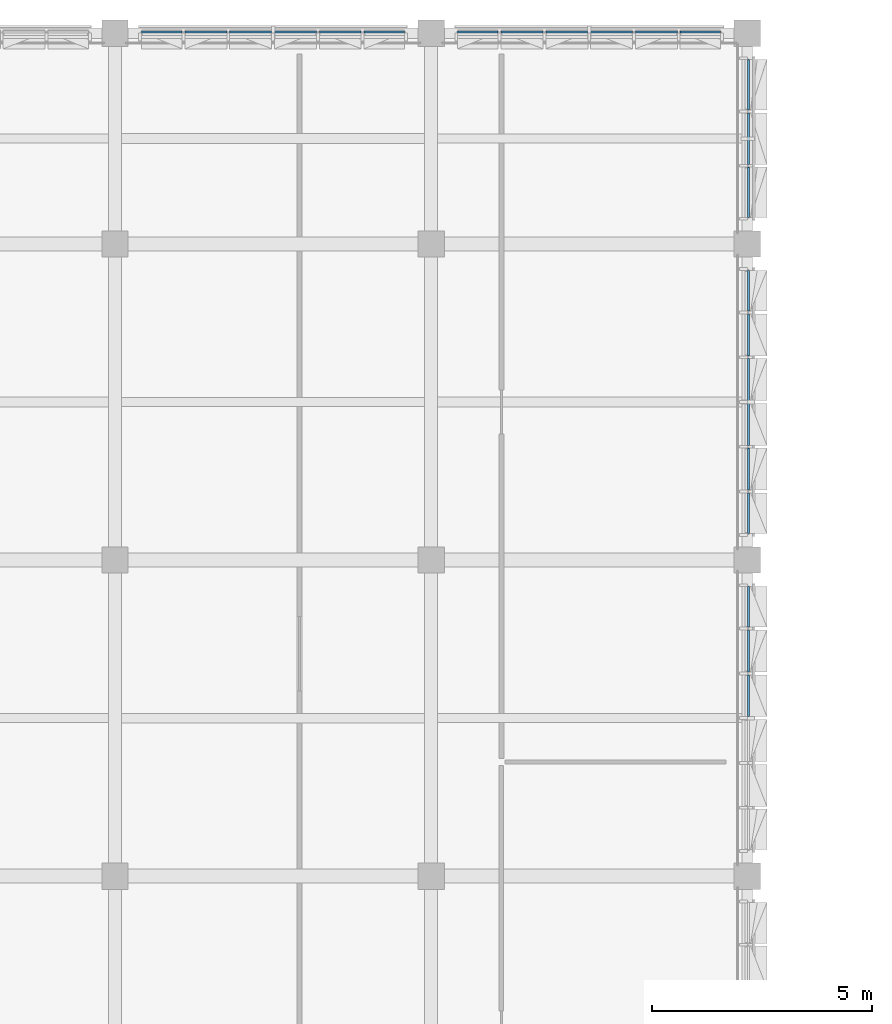
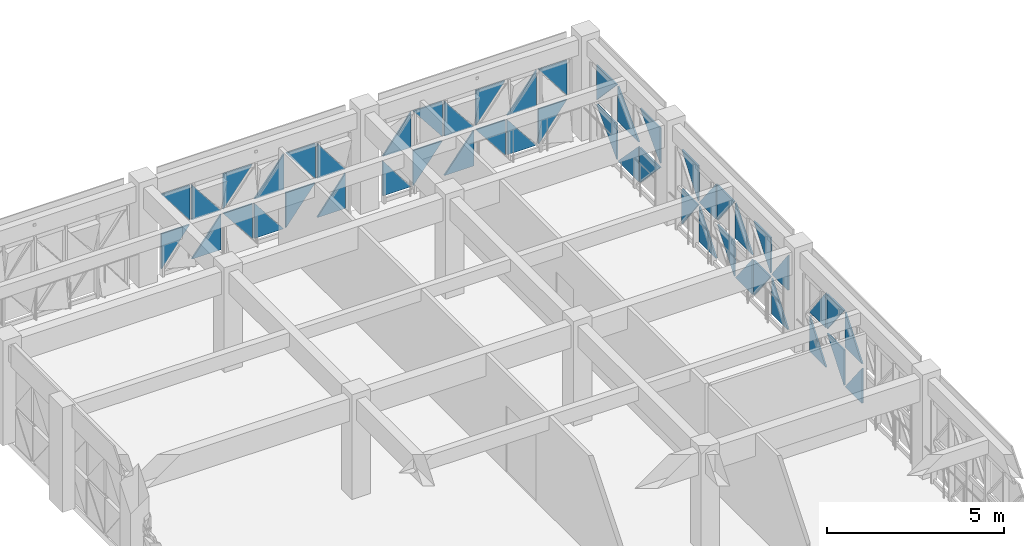
# One storey, part 45 of 99: 48 plates, 5 elements without a shape of their own.
"""IFC4 building model written with IfcOpenShell, lengths in metres."""

from ifc_helpers import new_model, si_unit, direction, frame, origin, place, context, subcontext, project, spatial, polyline, outline, extrude, material, layer, layer_set, type_object, element, aggregate, save


model = new_model("IFC4")

# Units and contexts
model_context = context("Model", 3, precision=1e-05, world=origin(), true_north=direction((0.0, 1.0)))
body_context = subcontext(model_context, "Body", "Model", "MODEL_VIEW")
ifc_project = project(units=[si_unit("LENGTHUNIT", "METRE"), si_unit("AREAUNIT", "SQUARE_METRE"), si_unit("VOLUMEUNIT", "CUBIC_METRE"), si_unit("PLANEANGLEUNIT", "RADIAN"), si_unit("MASSUNIT", "GRAM", prefix="KILO")], contexts=[model_context])

# Site, building, storey
site_placement = place(None, origin())
site = spatial("IfcSite", under=ifc_project, at=site_placement, CompositionType="ELEMENT")
building_placement = place(site_placement, origin())
building = spatial("IfcBuilding", under=site, at=building_placement, Name="Alvorim Cloister Faculty of Sciences", CompositionType="ELEMENT")
storey_placement = place(building_placement, frame((0.0, 0.0, 12.14990234375)))
storey = spatial("IfcBuildingStorey", under=building, at=storey_placement, Name="L03", CompositionType="ELEMENT", Elevation=12.14990234375)

# Curtain wall, plates
ifc_material_1 = material(Name="Aluminium and Low-E Glass Curtain Wall", Category="aluminium")
curtain_wall_type_1 = type_object("IfcCurtainWallType", Name="CW-TRI-6120x2850", PredefinedType="USERDEFINED", material=ifc_material_1)
curtain_wall_1_placement = place(storey_placement, origin())
curtain_wall_1 = element("IfcCurtainWall", 1, at=curtain_wall_1_placement, inside=storey, type_object=curtain_wall_type_1, Name="L03 Diagonal Cassette Curtain Wall CW-0115", ObjectType="UNITISED CURTAIN WALL", PredefinedType="USERDEFINED")
ifc_material_2 = material(Name="Double Low-E Laminated Glass", Category="glass")
ifc_layer = layer(ifc_material_2, 0.0400390625)
ifc_layer_set = layer_set([ifc_layer], Name="Double Low-E Laminated Glass")
plate_type = type_object("IfcPlateType", Name="PN-GLZ-40", PredefinedType="CURTAIN_PANEL", material=ifc_layer_set)
plate_1_placement = place(storey_placement, frame((7.804931640625, 111.625, 0.14013671875), z_axis=(0.0, 0.0, 1.0), x_axis=(1.0, 0.0, 0.0)))
plate_1 = element("IfcPlate", 2, at=plate_1_placement, type_object=plate_type, Name="Diagonal Glazed Triangle TRI-TL", PredefinedType="CURTAIN_PANEL", context=body_context, shape_type="SweptSolid", body=[
    extrude(outline(polyline([(0.920654296875, 1.21484375), (0.0, 1.21484375), (0.0, 0.001953125), (0.920654296875, 1.21484375)])), frame((0.0, 0.02490234375, 0.0), z_axis=(0.0, -1.0, 0.0), x_axis=(1.0, 0.0, 0.0)), (0.0, 0.0, 1.0), 0.050048828125),
])
plate_2_placement = place(storey_placement, frame((7.804931640625, 111.625, 1.4951171875), z_axis=(0.0, 0.0, 1.0), x_axis=(1.0, 0.0, 0.0)))
plate_2 = element("IfcPlate", 3, at=plate_2_placement, type_object=plate_type, Name="Diagonal Glazed Triangle TRI-TR", PredefinedType="CURTAIN_PANEL", context=body_context, shape_type="SweptSolid", body=[
    extrude(outline(polyline([(0.922607421875, 0.001953125), (0.922607421875, 1.215087890625), (0.001953125, 1.215087890625), (0.922607421875, 0.001953125)])), frame((0.0, 0.02490234375, 0.0), z_axis=(0.0, -1.0, 0.0), x_axis=(1.0, 0.0, 0.0)), (0.0, 0.0, 1.0), 0.050048828125),
])
plate_3_placement = place(storey_placement, frame((8.79248046875, 111.625, 0.14013671875), z_axis=(0.0, 0.0, 1.0), x_axis=(1.0, 0.0, 0.0)))
plate_3 = element("IfcPlate", 4, at=plate_3_placement, type_object=plate_type, Name="Diagonal Glazed Triangle TRI-BR", PredefinedType="CURTAIN_PANEL", context=body_context, shape_type="SweptSolid", body=[
    extrude(outline(polyline([(0.001953125, 0.0), (0.955078125, 0.0), (0.955078125, 1.212890625), (0.001953125, 0.0)])), frame((0.0, 0.02490234375, 0.0), z_axis=(0.0, -1.0, 0.0), x_axis=(1.0, 0.0, 0.0)), (0.0, 0.0, 1.0), 0.050048828125),
])
plate_4_placement = place(storey_placement, frame((8.79248046875, 111.625, 1.4951171875), z_axis=(0.0, 0.0, 1.0), x_axis=(1.0, 0.0, 0.0)))
plate_4 = element("IfcPlate", 5, at=plate_4_placement, type_object=plate_type, Name="Diagonal Glazed Triangle TRI-BL", PredefinedType="CURTAIN_PANEL", context=body_context, shape_type="SweptSolid", body=[
    extrude(outline(polyline([(0.0, 0.0), (0.953125, 0.0), (0.0, 1.213134765625), (0.0, 0.0)])), frame((0.0, 0.02490234375, 0.0), z_axis=(0.0, -1.0, 0.0), x_axis=(1.0, 0.0, 0.0)), (0.0, 0.0, 1.0), 0.050048828125),
])
plate_5_placement = place(storey_placement, frame((9.8125, 111.625, 0.14013671875), z_axis=(0.0, 0.0, 1.0), x_axis=(1.0, 0.0, 0.0)))
plate_5 = element("IfcPlate", 6, at=plate_5_placement, type_object=plate_type, Name="Diagonal Glazed Triangle TRI-TR", PredefinedType="CURTAIN_PANEL", context=body_context, shape_type="SweptSolid", body=[
    extrude(outline(polyline([(0.955078125, 0.001953125), (0.955078125, 1.21484375), (0.001953125, 1.21484375), (0.955078125, 0.001953125)])), frame((0.0, 0.02490234375, 0.0), z_axis=(0.0, -1.0, 0.0), x_axis=(1.0, 0.0, 0.0)), (0.0, 0.0, 1.0), 0.050048828125),
])
plate_6_placement = place(storey_placement, frame((9.8125, 111.625, 1.4951171875), z_axis=(0.0, 0.0, 1.0), x_axis=(1.0, 0.0, 0.0)))
plate_6 = element("IfcPlate", 7, at=plate_6_placement, type_object=plate_type, Name="Diagonal Glazed Triangle TRI-TL", PredefinedType="CURTAIN_PANEL", context=body_context, shape_type="SweptSolid", body=[
    extrude(outline(polyline([(0.953125, 1.215087890625), (0.0, 1.215087890625), (0.0, 0.001953125), (0.953125, 1.215087890625)])), frame((0.0, 0.02490234375, 0.0), z_axis=(0.0, -1.0, 0.0), x_axis=(1.0, 0.0, 0.0)), (0.0, 0.0, 1.0), 0.050048828125),
])
plate_7_placement = place(storey_placement, frame((10.83251953125, 111.625, 0.14013671875), z_axis=(0.0, 0.0, 1.0), x_axis=(1.0, 0.0, 0.0)))
plate_7 = element("IfcPlate", 8, at=plate_7_placement, type_object=plate_type, Name="Diagonal Glazed Triangle TRI-BL", PredefinedType="CURTAIN_PANEL", context=body_context, shape_type="SweptSolid", body=[
    extrude(outline(polyline([(0.0, 0.0), (0.953125, 0.0), (0.0, 1.212890625), (0.0, 0.0)])), frame((0.0, 0.02490234375, 0.0), z_axis=(0.0, -1.0, 0.0), x_axis=(1.0, 0.0, 0.0)), (0.0, 0.0, 1.0), 0.050048828125),
])
plate_8_placement = place(storey_placement, frame((10.83251953125, 111.625, 1.4951171875), z_axis=(0.0, 0.0, 1.0), x_axis=(1.0, 0.0, 0.0)))
plate_8 = element("IfcPlate", 9, at=plate_8_placement, type_object=plate_type, Name="Diagonal Glazed Triangle TRI-BR", PredefinedType="CURTAIN_PANEL", context=body_context, shape_type="SweptSolid", body=[
    extrude(outline(polyline([(0.001953125, 0.0), (0.955078125, 0.0), (0.955078125, 1.213134765625), (0.001953125, 0.0)])), frame((0.0, 0.02490234375, 0.0), z_axis=(0.0, -1.0, 0.0), x_axis=(1.0, 0.0, 0.0)), (0.0, 0.0, 1.0), 0.050048828125),
])
plate_9_placement = place(storey_placement, frame((11.8525390625, 111.625, 0.14013671875), z_axis=(0.0, 0.0, 1.0), x_axis=(1.0, 0.0, 0.0)))
plate_9 = element("IfcPlate", 10, at=plate_9_placement, type_object=plate_type, Name="Diagonal Glazed Triangle TRI-TL", PredefinedType="CURTAIN_PANEL", context=body_context, shape_type="SweptSolid", body=[
    extrude(outline(polyline([(0.953125, 1.21484375), (0.0, 1.21484375), (0.0, 0.001953125), (0.953125, 1.21484375)])), frame((0.0, 0.02490234375, 0.0), z_axis=(0.0, -1.0, 0.0), x_axis=(1.0, 0.0, 0.0)), (0.0, 0.0, 1.0), 0.050048828125),
])
plate_10_placement = place(storey_placement, frame((11.8525390625, 111.625, 1.4951171875), z_axis=(0.0, 0.0, 1.0), x_axis=(1.0, 0.0, 0.0)))
plate_10 = element("IfcPlate", 11, at=plate_10_placement, type_object=plate_type, Name="Diagonal Glazed Triangle TRI-TR", PredefinedType="CURTAIN_PANEL", context=body_context, shape_type="SweptSolid", body=[
    extrude(outline(polyline([(0.955078125, 0.001953125), (0.955078125, 1.215087890625), (0.001953125, 1.215087890625), (0.955078125, 0.001953125)])), frame((0.0, 0.02490234375, 0.0), z_axis=(0.0, -1.0, 0.0), x_axis=(1.0, 0.0, 0.0)), (0.0, 0.0, 1.0), 0.050048828125),
])
plate_11_placement = place(storey_placement, frame((12.87255859375, 111.625, 0.14013671875), z_axis=(0.0, 0.0, 1.0), x_axis=(1.0, 0.0, 0.0)))
plate_11 = element("IfcPlate", 12, at=plate_11_placement, type_object=plate_type, Name="Diagonal Glazed Triangle TRI-BR", PredefinedType="CURTAIN_PANEL", context=body_context, shape_type="SweptSolid", body=[
    extrude(outline(polyline([(0.001953125, 0.0), (0.922607421875, 0.0), (0.922607421875, 1.212890625), (0.001953125, 0.0)])), frame((0.0, 0.02490234375, 0.0), z_axis=(0.0, -1.0, 0.0), x_axis=(1.0, 0.0, 0.0)), (0.0, 0.0, 1.0), 0.050048828125),
])
plate_12_placement = place(storey_placement, frame((12.87255859375, 111.625, 1.4951171875), z_axis=(0.0, 0.0, 1.0), x_axis=(1.0, 0.0, 0.0)))
plate_12 = element("IfcPlate", 13, at=plate_12_placement, type_object=plate_type, Name="Diagonal Glazed Triangle TRI-BL", PredefinedType="CURTAIN_PANEL", context=body_context, shape_type="SweptSolid", body=[
    extrude(outline(polyline([(0.0, 0.0), (0.920654296875, 0.0), (0.0, 1.213134765625), (0.0, 0.0)])), frame((0.0, 0.02490234375, 0.0), z_axis=(0.0, -1.0, 0.0), x_axis=(1.0, 0.0, 0.0)), (0.0, 0.0, 1.0), 0.050048828125),
])
aggregate(curtain_wall_1, [plate_1, plate_2, plate_3, plate_4, plate_5, plate_6, plate_7, plate_8, plate_9, plate_10, plate_11, plate_12])

curtain_wall_2_placement = place(storey_placement, origin())
curtain_wall_2 = element("IfcCurtainWall", 14, at=curtain_wall_2_placement, inside=storey, type_object=curtain_wall_type_1, Name="L03 Diagonal Cassette Curtain Wall CW-0116", ObjectType="UNITISED CURTAIN WALL", PredefinedType="USERDEFINED")
plate_13_placement = place(storey_placement, frame((15.0048828125, 111.625, 0.14013671875), z_axis=(0.0, 0.0, 1.0), x_axis=(1.0, 0.0, 0.0)))
plate_13 = element("IfcPlate", 15, at=plate_13_placement, type_object=plate_type, Name="Diagonal Glazed Triangle TRI-BL", PredefinedType="CURTAIN_PANEL", context=body_context, shape_type="SweptSolid", body=[
    extrude(outline(polyline([(0.0, 0.0), (0.920654296875, 0.0), (0.0, 1.212890625), (0.0, 0.0)])), frame((0.0, 0.02490234375, 0.0), z_axis=(0.0, -1.0, 0.0), x_axis=(1.0, 0.0, 0.0)), (0.0, 0.0, 1.0), 0.050048828125),
])
plate_14_placement = place(storey_placement, frame((15.0048828125, 111.625, 1.4951171875), z_axis=(0.0, 0.0, 1.0), x_axis=(1.0, 0.0, 0.0)))
plate_14 = element("IfcPlate", 16, at=plate_14_placement, type_object=plate_type, Name="Diagonal Glazed Triangle TRI-BR", PredefinedType="CURTAIN_PANEL", context=body_context, shape_type="SweptSolid", body=[
    extrude(outline(polyline([(0.001953125, 0.0), (0.922607421875, 0.0), (0.922607421875, 1.213134765625), (0.001953125, 0.0)])), frame((0.0, 0.02490234375, 0.0), z_axis=(0.0, -1.0, 0.0), x_axis=(1.0, 0.0, 0.0)), (0.0, 0.0, 1.0), 0.050048828125),
])
plate_15_placement = place(storey_placement, frame((15.992431640625, 111.625, 0.14013671875), z_axis=(0.0, 0.0, 1.0), x_axis=(1.0, 0.0, 0.0)))
plate_15 = element("IfcPlate", 17, at=plate_15_placement, type_object=plate_type, Name="Diagonal Glazed Triangle TRI-TL", PredefinedType="CURTAIN_PANEL", context=body_context, shape_type="SweptSolid", body=[
    extrude(outline(polyline([(0.953125, 1.21484375), (0.0, 1.21484375), (0.0, 0.001953125), (0.953125, 1.21484375)])), frame((0.0, 0.02490234375, 0.0), z_axis=(0.0, -1.0, 0.0), x_axis=(1.0, 0.0, 0.0)), (0.0, 0.0, 1.0), 0.050048828125),
])
plate_16_placement = place(storey_placement, frame((15.992431640625, 111.625, 1.4951171875), z_axis=(0.0, 0.0, 1.0), x_axis=(1.0, 0.0, 0.0)))
plate_16 = element("IfcPlate", 18, at=plate_16_placement, type_object=plate_type, Name="Diagonal Glazed Triangle TRI-TR", PredefinedType="CURTAIN_PANEL", context=body_context, shape_type="SweptSolid", body=[
    extrude(outline(polyline([(0.955078125, 0.001953125), (0.955078125, 1.215087890625), (0.001953125, 1.215087890625), (0.955078125, 0.001953125)])), frame((0.0, 0.02490234375, 0.0), z_axis=(0.0, -1.0, 0.0), x_axis=(1.0, 0.0, 0.0)), (0.0, 0.0, 1.0), 0.050048828125),
])
plate_17_placement = place(storey_placement, frame((17.012451171875, 111.625, 0.14013671875), z_axis=(0.0, 0.0, 1.0), x_axis=(1.0, 0.0, 0.0)))
plate_17 = element("IfcPlate", 19, at=plate_17_placement, type_object=plate_type, Name="Diagonal Glazed Triangle TRI-BR", PredefinedType="CURTAIN_PANEL", context=body_context, shape_type="SweptSolid", body=[
    extrude(outline(polyline([(0.001953125, 0.0), (0.955078125, 0.0), (0.955078125, 1.212890625), (0.001953125, 0.0)])), frame((0.0, 0.02490234375, 0.0), z_axis=(0.0, -1.0, 0.0), x_axis=(1.0, 0.0, 0.0)), (0.0, 0.0, 1.0), 0.050048828125),
])
plate_18_placement = place(storey_placement, frame((17.012451171875, 111.625, 1.4951171875), z_axis=(0.0, 0.0, 1.0), x_axis=(1.0, 0.0, 0.0)))
plate_18 = element("IfcPlate", 20, at=plate_18_placement, type_object=plate_type, Name="Diagonal Glazed Triangle TRI-BL", PredefinedType="CURTAIN_PANEL", context=body_context, shape_type="SweptSolid", body=[
    extrude(outline(polyline([(0.0, 0.0), (0.953125, 0.0), (0.0, 1.213134765625), (0.0, 0.0)])), frame((0.0, 0.02490234375, 0.0), z_axis=(0.0, -1.0, 0.0), x_axis=(1.0, 0.0, 0.0)), (0.0, 0.0, 1.0), 0.050048828125),
])
plate_19_placement = place(storey_placement, frame((18.032470703125, 111.625, 0.14013671875), z_axis=(0.0, 0.0, 1.0), x_axis=(1.0, 0.0, 0.0)))
plate_19 = element("IfcPlate", 21, at=plate_19_placement, type_object=plate_type, Name="Diagonal Glazed Triangle TRI-TR", PredefinedType="CURTAIN_PANEL", context=body_context, shape_type="SweptSolid", body=[
    extrude(outline(polyline([(0.955078125, 0.001953125), (0.955078125, 1.21484375), (0.001953125, 1.21484375), (0.955078125, 0.001953125)])), frame((0.0, 0.02490234375, 0.0), z_axis=(0.0, -1.0, 0.0), x_axis=(1.0, 0.0, 0.0)), (0.0, 0.0, 1.0), 0.050048828125),
])
plate_20_placement = place(storey_placement, frame((18.032470703125, 111.625, 1.4951171875), z_axis=(0.0, 0.0, 1.0), x_axis=(1.0, 0.0, 0.0)))
plate_20 = element("IfcPlate", 22, at=plate_20_placement, type_object=plate_type, Name="Diagonal Glazed Triangle TRI-TL", PredefinedType="CURTAIN_PANEL", context=body_context, shape_type="SweptSolid", body=[
    extrude(outline(polyline([(0.953125, 1.215087890625), (0.0, 1.215087890625), (0.0, 0.001953125), (0.953125, 1.215087890625)])), frame((0.0, 0.02490234375, 0.0), z_axis=(0.0, -1.0, 0.0), x_axis=(1.0, 0.0, 0.0)), (0.0, 0.0, 1.0), 0.050048828125),
])
plate_21_placement = place(storey_placement, frame((19.052490234375, 111.625, 0.14013671875), z_axis=(0.0, 0.0, 1.0), x_axis=(1.0, 0.0, 0.0)))
plate_21 = element("IfcPlate", 23, at=plate_21_placement, type_object=plate_type, Name="Diagonal Glazed Triangle TRI-BL", PredefinedType="CURTAIN_PANEL", context=body_context, shape_type="SweptSolid", body=[
    extrude(outline(polyline([(0.0, 0.0), (0.953125, 0.0), (0.0, 1.212890625), (0.0, 0.0)])), frame((0.0, 0.02490234375, 0.0), z_axis=(0.0, -1.0, 0.0), x_axis=(1.0, 0.0, 0.0)), (0.0, 0.0, 1.0), 0.050048828125),
])
plate_22_placement = place(storey_placement, frame((19.052490234375, 111.625, 1.4951171875), z_axis=(0.0, 0.0, 1.0), x_axis=(1.0, 0.0, 0.0)))
plate_22 = element("IfcPlate", 24, at=plate_22_placement, type_object=plate_type, Name="Diagonal Glazed Triangle TRI-BR", PredefinedType="CURTAIN_PANEL", context=body_context, shape_type="SweptSolid", body=[
    extrude(outline(polyline([(0.001953125, 0.0), (0.955078125, 0.0), (0.955078125, 1.213134765625), (0.001953125, 0.0)])), frame((0.0, 0.02490234375, 0.0), z_axis=(0.0, -1.0, 0.0), x_axis=(1.0, 0.0, 0.0)), (0.0, 0.0, 1.0), 0.050048828125),
])
plate_23_placement = place(storey_placement, frame((20.072509765625, 111.625, 0.14013671875), z_axis=(0.0, 0.0, 1.0), x_axis=(1.0, 0.0, 0.0)))
plate_23 = element("IfcPlate", 25, at=plate_23_placement, type_object=plate_type, Name="Diagonal Glazed Triangle TRI-TL", PredefinedType="CURTAIN_PANEL", context=body_context, shape_type="SweptSolid", body=[
    extrude(outline(polyline([(0.920654296875, 1.21484375), (0.0, 1.21484375), (0.0, 0.001953125), (0.920654296875, 1.21484375)])), frame((0.0, 0.02490234375, 0.0), z_axis=(0.0, -1.0, 0.0), x_axis=(1.0, 0.0, 0.0)), (0.0, 0.0, 1.0), 0.050048828125),
])
plate_24_placement = place(storey_placement, frame((20.072509765625, 111.625, 1.4951171875), z_axis=(0.0, 0.0, 1.0), x_axis=(1.0, 0.0, 0.0)))
plate_24 = element("IfcPlate", 26, at=plate_24_placement, type_object=plate_type, Name="Diagonal Glazed Triangle TRI-TR", PredefinedType="CURTAIN_PANEL", context=body_context, shape_type="SweptSolid", body=[
    extrude(outline(polyline([(0.922607421875, 0.001953125), (0.922607421875, 1.215087890625), (0.001953125, 1.215087890625), (0.922607421875, 0.001953125)])), frame((0.0, 0.02490234375, 0.0), z_axis=(0.0, -1.0, 0.0), x_axis=(1.0, 0.0, 0.0)), (0.0, 0.0, 1.0), 0.050048828125),
])
aggregate(curtain_wall_2, [plate_13, plate_14, plate_15, plate_16, plate_17, plate_18, plate_19, plate_20, plate_21, plate_22, plate_23, plate_24])

curtain_wall_type_2 = type_object("IfcCurtainWallType", Name="CW-TRI-3720x2850", PredefinedType="USERDEFINED", material=ifc_material_1)
curtain_wall_3_placement = place(storey_placement, origin())
curtain_wall_3 = element("IfcCurtainWall", 27, at=curtain_wall_3_placement, inside=storey, type_object=curtain_wall_type_2, Name="L03 Diagonal Cassette Curtain Wall CW-0117", ObjectType="UNITISED CURTAIN WALL", PredefinedType="USERDEFINED")
plate_25_placement = place(storey_placement, frame((21.625, 107.405029296875, 0.14013671875), z_axis=(0.0, 0.0, 1.0), x_axis=(0.0, 1.0, 0.0)))
plate_25 = element("IfcPlate", 28, at=plate_25_placement, type_object=plate_type, Name="Diagonal Glazed Triangle TRI-TR", PredefinedType="CURTAIN_PANEL", context=body_context, shape_type="SweptSolid", body=[
    extrude(outline(polyline([(1.142578125, 0.001953125), (1.142578125, 1.21484375), (0.001953125, 1.21484375), (1.142578125, 0.001953125)])), frame((0.0, 0.02490234375, 0.0), z_axis=(0.0, -1.0, 0.0), x_axis=(1.0, 0.0, 0.0)), (0.0, 0.0, 1.0), 0.050048828125),
])
plate_26_placement = place(storey_placement, frame((21.625, 107.405029296875, 1.4951171875), z_axis=(0.0, 0.0, 1.0), x_axis=(0.0, 1.0, 0.0)))
plate_26 = element("IfcPlate", 29, at=plate_26_placement, type_object=plate_type, Name="Diagonal Glazed Triangle TRI-TL", PredefinedType="CURTAIN_PANEL", context=body_context, shape_type="SweptSolid", body=[
    extrude(outline(polyline([(1.140625, 1.215087890625), (0.0, 1.215087890625), (0.0, 0.001953125), (1.140625, 1.215087890625)])), frame((0.0, 0.02490234375, 0.0), z_axis=(0.0, -1.0, 0.0), x_axis=(1.0, 0.0, 0.0)), (0.0, 0.0, 1.0), 0.050048828125),
])
plate_27_placement = place(storey_placement, frame((21.625, 108.612548828125, 0.14013671875), z_axis=(0.0, 0.0, 1.0), x_axis=(0.0, 1.0, 0.0)))
plate_27 = element("IfcPlate", 30, at=plate_27_placement, type_object=plate_type, Name="Diagonal Glazed Triangle TRI-BL", PredefinedType="CURTAIN_PANEL", context=body_context, shape_type="SweptSolid", body=[
    extrude(outline(polyline([(0.0, 0.0), (1.173095703125, 0.0), (0.0, 1.212890625), (0.0, 0.0)])), frame((0.0, 0.02490234375, 0.0), z_axis=(0.0, -1.0, 0.0), x_axis=(1.0, 0.0, 0.0)), (0.0, 0.0, 1.0), 0.050048828125),
])
plate_28_placement = place(storey_placement, frame((21.625, 108.612548828125, 1.4951171875), z_axis=(0.0, 0.0, 1.0), x_axis=(0.0, 1.0, 0.0)))
plate_28 = element("IfcPlate", 31, at=plate_28_placement, type_object=plate_type, Name="Diagonal Glazed Triangle TRI-BR", PredefinedType="CURTAIN_PANEL", context=body_context, shape_type="SweptSolid", body=[
    extrude(outline(polyline([(0.001953125, 0.0), (1.175048828125, 0.0), (1.175048828125, 1.213134765625), (0.001953125, 0.0)])), frame((0.0, 0.02490234375, 0.0), z_axis=(0.0, -1.0, 0.0), x_axis=(1.0, 0.0, 0.0)), (0.0, 0.0, 1.0), 0.050048828125),
])
plate_29_placement = place(storey_placement, frame((21.625, 109.8525390625, 0.14013671875), z_axis=(0.0, 0.0, 1.0), x_axis=(0.0, 1.0, 0.0)))
plate_29 = element("IfcPlate", 32, at=plate_29_placement, type_object=plate_type, Name="Diagonal Glazed Triangle TRI-TL", PredefinedType="CURTAIN_PANEL", context=body_context, shape_type="SweptSolid", body=[
    extrude(outline(polyline([(1.140625, 1.21484375), (0.0, 1.21484375), (0.0, 0.001953125), (1.140625, 1.21484375)])), frame((0.0, 0.02490234375, 0.0), z_axis=(0.0, -1.0, 0.0), x_axis=(1.0, 0.0, 0.0)), (0.0, 0.0, 1.0), 0.050048828125),
])
plate_30_placement = place(storey_placement, frame((21.625, 109.8525390625, 1.4951171875), z_axis=(0.0, 0.0, 1.0), x_axis=(0.0, 1.0, 0.0)))
plate_30 = element("IfcPlate", 33, at=plate_30_placement, type_object=plate_type, Name="Diagonal Glazed Triangle TRI-TR", PredefinedType="CURTAIN_PANEL", context=body_context, shape_type="SweptSolid", body=[
    extrude(outline(polyline([(1.142578125, 0.001953125), (1.142578125, 1.215087890625), (0.001953125, 1.215087890625), (1.142578125, 0.001953125)])), frame((0.0, 0.02490234375, 0.0), z_axis=(0.0, -1.0, 0.0), x_axis=(1.0, 0.0, 0.0)), (0.0, 0.0, 1.0), 0.050048828125),
])
aggregate(curtain_wall_3, [plate_25, plate_26, plate_27, plate_28, plate_29, plate_30])

curtain_wall_4_placement = place(storey_placement, origin())
curtain_wall_4 = element("IfcCurtainWall", 34, at=curtain_wall_4_placement, inside=storey, type_object=curtain_wall_type_1, Name="L03 Diagonal Cassette Curtain Wall CW-0118", ObjectType="UNITISED CURTAIN WALL", PredefinedType="USERDEFINED")
plate_31_placement = place(storey_placement, frame((21.625, 100.205078125, 0.14013671875), z_axis=(0.0, 0.0, 1.0), x_axis=(0.0, 1.0, 0.0)))
plate_31 = element("IfcPlate", 35, at=plate_31_placement, type_object=plate_type, Name="Diagonal Glazed Triangle TRI-BR", PredefinedType="CURTAIN_PANEL", context=body_context, shape_type="SweptSolid", body=[
    extrude(outline(polyline([(0.001953125, 0.0), (0.922607421875, 0.0), (0.922607421875, 1.212890625), (0.001953125, 0.0)])), frame((0.0, 0.02490234375, 0.0), z_axis=(0.0, -1.0, 0.0), x_axis=(1.0, 0.0, 0.0)), (0.0, 0.0, 1.0), 0.050048828125),
])
plate_32_placement = place(storey_placement, frame((21.625, 100.205078125, 1.4951171875), z_axis=(0.0, 0.0, 1.0), x_axis=(0.0, 1.0, 0.0)))
plate_32 = element("IfcPlate", 36, at=plate_32_placement, type_object=plate_type, Name="Diagonal Glazed Triangle TRI-BL", PredefinedType="CURTAIN_PANEL", context=body_context, shape_type="SweptSolid", body=[
    extrude(outline(polyline([(0.0, 0.0), (0.920654296875, 0.0), (0.0, 1.213134765625), (0.0, 0.0)])), frame((0.0, 0.02490234375, 0.0), z_axis=(0.0, -1.0, 0.0), x_axis=(1.0, 0.0, 0.0)), (0.0, 0.0, 1.0), 0.050048828125),
])
plate_33_placement = place(storey_placement, frame((21.625, 101.1923828125, 0.14013671875), z_axis=(0.0, 0.0, 1.0), x_axis=(0.0, 1.0, 0.0)))
plate_33 = element("IfcPlate", 37, at=plate_33_placement, type_object=plate_type, Name="Diagonal Glazed Triangle TRI-TR", PredefinedType="CURTAIN_PANEL", context=body_context, shape_type="SweptSolid", body=[
    extrude(outline(polyline([(0.955078125, 0.001953125), (0.955078125, 1.21484375), (0.001953125, 1.21484375), (0.955078125, 0.001953125)])), frame((0.0, 0.02490234375, 0.0), z_axis=(0.0, -1.0, 0.0), x_axis=(1.0, 0.0, 0.0)), (0.0, 0.0, 1.0), 0.050048828125),
])
plate_34_placement = place(storey_placement, frame((21.625, 101.1923828125, 1.4951171875), z_axis=(0.0, 0.0, 1.0), x_axis=(0.0, 1.0, 0.0)))
plate_34 = element("IfcPlate", 38, at=plate_34_placement, type_object=plate_type, Name="Diagonal Glazed Triangle TRI-TL", PredefinedType="CURTAIN_PANEL", context=body_context, shape_type="SweptSolid", body=[
    extrude(outline(polyline([(0.953125, 1.215087890625), (0.0, 1.215087890625), (0.0, 0.001953125), (0.953125, 1.215087890625)])), frame((0.0, 0.02490234375, 0.0), z_axis=(0.0, -1.0, 0.0), x_axis=(1.0, 0.0, 0.0)), (0.0, 0.0, 1.0), 0.050048828125),
])
plate_35_placement = place(storey_placement, frame((21.625, 102.21240234375, 0.14013671875), z_axis=(0.0, 0.0, 1.0), x_axis=(0.0, 1.0, 0.0)))
plate_35 = element("IfcPlate", 39, at=plate_35_placement, type_object=plate_type, Name="Diagonal Glazed Triangle TRI-BL", PredefinedType="CURTAIN_PANEL", context=body_context, shape_type="SweptSolid", body=[
    extrude(outline(polyline([(0.0, 0.0), (0.953125, 0.0), (0.0, 1.212890625), (0.0, 0.0)])), frame((0.0, 0.02490234375, 0.0), z_axis=(0.0, -1.0, 0.0), x_axis=(1.0, 0.0, 0.0)), (0.0, 0.0, 1.0), 0.050048828125),
])
plate_36_placement = place(storey_placement, frame((21.625, 102.21240234375, 1.4951171875), z_axis=(0.0, 0.0, 1.0), x_axis=(0.0, 1.0, 0.0)))
plate_36 = element("IfcPlate", 40, at=plate_36_placement, type_object=plate_type, Name="Diagonal Glazed Triangle TRI-BR", PredefinedType="CURTAIN_PANEL", context=body_context, shape_type="SweptSolid", body=[
    extrude(outline(polyline([(0.001953125, 0.0), (0.955078125, 0.0), (0.955078125, 1.213134765625), (0.001953125, 0.0)])), frame((0.0, 0.02490234375, 0.0), z_axis=(0.0, -1.0, 0.0), x_axis=(1.0, 0.0, 0.0)), (0.0, 0.0, 1.0), 0.050048828125),
])
plate_37_placement = place(storey_placement, frame((21.625, 103.232421875, 0.14013671875), z_axis=(0.0, 0.0, 1.0), x_axis=(0.0, 1.0, 0.0)))
plate_37 = element("IfcPlate", 41, at=plate_37_placement, type_object=plate_type, Name="Diagonal Glazed Triangle TRI-TL", PredefinedType="CURTAIN_PANEL", context=body_context, shape_type="SweptSolid", body=[
    extrude(outline(polyline([(0.953125, 1.21484375), (0.0, 1.21484375), (0.0, 0.001953125), (0.953125, 1.21484375)])), frame((0.0, 0.02490234375, 0.0), z_axis=(0.0, -1.0, 0.0), x_axis=(1.0, 0.0, 0.0)), (0.0, 0.0, 1.0), 0.050048828125),
])
plate_38_placement = place(storey_placement, frame((21.625, 103.232421875, 1.4951171875), z_axis=(0.0, 0.0, 1.0), x_axis=(0.0, 1.0, 0.0)))
plate_38 = element("IfcPlate", 42, at=plate_38_placement, type_object=plate_type, Name="Diagonal Glazed Triangle TRI-TR", PredefinedType="CURTAIN_PANEL", context=body_context, shape_type="SweptSolid", body=[
    extrude(outline(polyline([(0.955078125, 0.001953125), (0.955078125, 1.215087890625), (0.001953125, 1.215087890625), (0.955078125, 0.001953125)])), frame((0.0, 0.02490234375, 0.0), z_axis=(0.0, -1.0, 0.0), x_axis=(1.0, 0.0, 0.0)), (0.0, 0.0, 1.0), 0.050048828125),
])
plate_39_placement = place(storey_placement, frame((21.625, 104.25244140625, 0.14013671875), z_axis=(0.0, 0.0, 1.0), x_axis=(0.0, 1.0, 0.0)))
plate_39 = element("IfcPlate", 43, at=plate_39_placement, type_object=plate_type, Name="Diagonal Glazed Triangle TRI-BR", PredefinedType="CURTAIN_PANEL", context=body_context, shape_type="SweptSolid", body=[
    extrude(outline(polyline([(0.001953125, 0.0), (0.955078125, 0.0), (0.955078125, 1.212890625), (0.001953125, 0.0)])), frame((0.0, 0.02490234375, 0.0), z_axis=(0.0, -1.0, 0.0), x_axis=(1.0, 0.0, 0.0)), (0.0, 0.0, 1.0), 0.050048828125),
])
plate_40_placement = place(storey_placement, frame((21.625, 104.25244140625, 1.4951171875), z_axis=(0.0, 0.0, 1.0), x_axis=(0.0, 1.0, 0.0)))
plate_40 = element("IfcPlate", 44, at=plate_40_placement, type_object=plate_type, Name="Diagonal Glazed Triangle TRI-BL", PredefinedType="CURTAIN_PANEL", context=body_context, shape_type="SweptSolid", body=[
    extrude(outline(polyline([(0.0, 0.0), (0.953125, 0.0), (0.0, 1.213134765625), (0.0, 0.0)])), frame((0.0, 0.02490234375, 0.0), z_axis=(0.0, -1.0, 0.0), x_axis=(1.0, 0.0, 0.0)), (0.0, 0.0, 1.0), 0.050048828125),
])
plate_41_placement = place(storey_placement, frame((21.625, 105.2724609375, 0.14013671875), z_axis=(0.0, 0.0, 1.0), x_axis=(0.0, 1.0, 0.0)))
plate_41 = element("IfcPlate", 45, at=plate_41_placement, type_object=plate_type, Name="Diagonal Glazed Triangle TRI-TR", PredefinedType="CURTAIN_PANEL", context=body_context, shape_type="SweptSolid", body=[
    extrude(outline(polyline([(0.922607421875, 0.001953125), (0.922607421875, 1.21484375), (0.001953125, 1.21484375), (0.922607421875, 0.001953125)])), frame((0.0, 0.02490234375, 0.0), z_axis=(0.0, -1.0, 0.0), x_axis=(1.0, 0.0, 0.0)), (0.0, 0.0, 1.0), 0.050048828125),
])
plate_42_placement = place(storey_placement, frame((21.625, 105.2724609375, 1.4951171875), z_axis=(0.0, 0.0, 1.0), x_axis=(0.0, 1.0, 0.0)))
plate_42 = element("IfcPlate", 46, at=plate_42_placement, type_object=plate_type, Name="Diagonal Glazed Triangle TRI-TL", PredefinedType="CURTAIN_PANEL", context=body_context, shape_type="SweptSolid", body=[
    extrude(outline(polyline([(0.920654296875, 1.215087890625), (0.0, 1.215087890625), (0.0, 0.001953125), (0.920654296875, 1.215087890625)])), frame((0.0, 0.02490234375, 0.0), z_axis=(0.0, -1.0, 0.0), x_axis=(1.0, 0.0, 0.0)), (0.0, 0.0, 1.0), 0.050048828125),
])
aggregate(curtain_wall_4, [plate_31, plate_32, plate_33, plate_34, plate_35, plate_36, plate_37, plate_38, plate_39, plate_40, plate_41, plate_42])

curtain_wall_5_placement = place(storey_placement, origin())
curtain_wall_5 = element("IfcCurtainWall", 47, at=curtain_wall_5_placement, inside=storey, type_object=curtain_wall_type_1, Name="L03 Diagonal Cassette Curtain Wall CW-0119", ObjectType="UNITISED CURTAIN WALL", PredefinedType="USERDEFINED")
plate_43_placement = place(storey_placement, frame((21.625, 96.032470703125, 0.14013671875), z_axis=(0.0, 0.0, 1.0), x_axis=(0.0, 1.0, 0.0)))
plate_43 = element("IfcPlate", 48, at=plate_43_placement, type_object=plate_type, Name="Diagonal Glazed Triangle TRI-BL", PredefinedType="CURTAIN_PANEL", context=body_context, shape_type="SweptSolid", body=[
    extrude(outline(polyline([(0.0, 0.0), (0.953125, 0.0), (0.0, 1.212890625), (0.0, 0.0)])), frame((0.0, 0.02490234375, 0.0), z_axis=(0.0, -1.0, 0.0), x_axis=(1.0, 0.0, 0.0)), (0.0, 0.0, 1.0), 0.050048828125),
])
plate_44_placement = place(storey_placement, frame((21.625, 96.032470703125, 1.4951171875), z_axis=(0.0, 0.0, 1.0), x_axis=(0.0, 1.0, 0.0)))
plate_44 = element("IfcPlate", 49, at=plate_44_placement, type_object=plate_type, Name="Diagonal Glazed Triangle TRI-BR", PredefinedType="CURTAIN_PANEL", context=body_context, shape_type="SweptSolid", body=[
    extrude(outline(polyline([(0.001953125, 0.0), (0.955078125, 0.0), (0.955078125, 1.213134765625), (0.001953125, 0.0)])), frame((0.0, 0.02490234375, 0.0), z_axis=(0.0, -1.0, 0.0), x_axis=(1.0, 0.0, 0.0)), (0.0, 0.0, 1.0), 0.050048828125),
])
plate_45_placement = place(storey_placement, frame((21.625, 97.052490234375, 0.14013671875), z_axis=(0.0, 0.0, 1.0), x_axis=(0.0, 1.0, 0.0)))
plate_45 = element("IfcPlate", 50, at=plate_45_placement, type_object=plate_type, Name="Diagonal Glazed Triangle TRI-TL", PredefinedType="CURTAIN_PANEL", context=body_context, shape_type="SweptSolid", body=[
    extrude(outline(polyline([(0.953125, 1.21484375), (0.0, 1.21484375), (0.0, 0.001953125), (0.953125, 1.21484375)])), frame((0.0, 0.02490234375, 0.0), z_axis=(0.0, -1.0, 0.0), x_axis=(1.0, 0.0, 0.0)), (0.0, 0.0, 1.0), 0.050048828125),
])
plate_46_placement = place(storey_placement, frame((21.625, 97.052490234375, 1.4951171875), z_axis=(0.0, 0.0, 1.0), x_axis=(0.0, 1.0, 0.0)))
plate_46 = element("IfcPlate", 51, at=plate_46_placement, type_object=plate_type, Name="Diagonal Glazed Triangle TRI-TR", PredefinedType="CURTAIN_PANEL", context=body_context, shape_type="SweptSolid", body=[
    extrude(outline(polyline([(0.955078125, 0.001953125), (0.955078125, 1.215087890625), (0.001953125, 1.215087890625), (0.955078125, 0.001953125)])), frame((0.0, 0.02490234375, 0.0), z_axis=(0.0, -1.0, 0.0), x_axis=(1.0, 0.0, 0.0)), (0.0, 0.0, 1.0), 0.050048828125),
])
plate_47_placement = place(storey_placement, frame((21.625, 98.072509765625, 0.14013671875), z_axis=(0.0, 0.0, 1.0), x_axis=(0.0, 1.0, 0.0)))
plate_47 = element("IfcPlate", 52, at=plate_47_placement, type_object=plate_type, Name="Diagonal Glazed Triangle TRI-BR", PredefinedType="CURTAIN_PANEL", context=body_context, shape_type="SweptSolid", body=[
    extrude(outline(polyline([(0.001953125, 0.0), (0.922607421875, 0.0), (0.922607421875, 1.212890625), (0.001953125, 0.0)])), frame((0.0, 0.02490234375, 0.0), z_axis=(0.0, -1.0, 0.0), x_axis=(1.0, 0.0, 0.0)), (0.0, 0.0, 1.0), 0.050048828125),
])
plate_48_placement = place(storey_placement, frame((21.625, 98.072509765625, 1.4951171875), z_axis=(0.0, 0.0, 1.0), x_axis=(0.0, 1.0, 0.0)))
plate_48 = element("IfcPlate", 53, at=plate_48_placement, type_object=plate_type, Name="Diagonal Glazed Triangle TRI-BL", PredefinedType="CURTAIN_PANEL", context=body_context, shape_type="SweptSolid", body=[
    extrude(outline(polyline([(0.0, 0.0), (0.920654296875, 0.0), (0.0, 1.213134765625), (0.0, 0.0)])), frame((0.0, 0.02490234375, 0.0), z_axis=(0.0, -1.0, 0.0), x_axis=(1.0, 0.0, 0.0)), (0.0, 0.0, 1.0), 0.050048828125),
])
aggregate(curtain_wall_5, [plate_43, plate_44, plate_45, plate_46, plate_47, plate_48])

save(model, "model.ifc")
